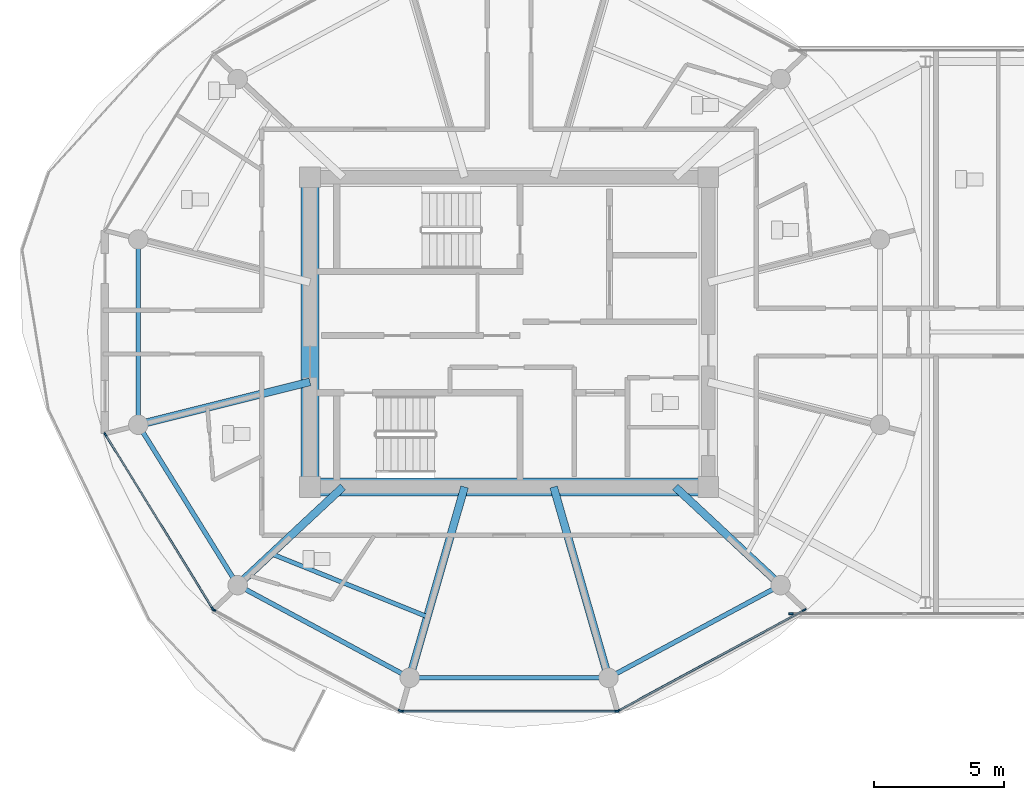
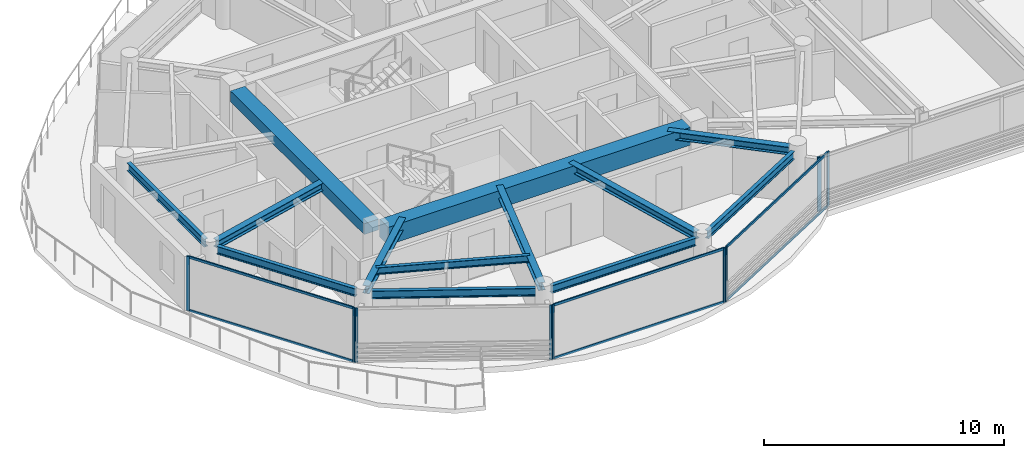
# One storey, part 3 of 26: 15 members, 13 beams, 5 elements without a shape of their own.
"""IFC4 building model written with IfcOpenShell, lengths in metres."""

from ifc_helpers import new_model, si_unit, direction, frame, origin, origin_2d, place, context, subcontext, project, spatial, rectangle, i_section, extrude, source, transform, mapped, material, layer, layer_set, material_profile, profile_set, type_object, type_shapes, element, aggregate, save


model = new_model("IFC4")

# Units and contexts
model_context = context("Model", 3, precision=1e-05, world=origin(), true_north=direction((0.0, 1.0)))
body_context = subcontext(model_context, "Body", "Model", "MODEL_VIEW")
ifc_project = project(units=[si_unit("LENGTHUNIT", "METRE"), si_unit("AREAUNIT", "SQUARE_METRE"), si_unit("VOLUMEUNIT", "CUBIC_METRE"), si_unit("PLANEANGLEUNIT", "RADIAN"), si_unit("MASSUNIT", "GRAM", prefix="KILO")], contexts=[model_context])

# Site, building, storey
site_placement = place(None, origin())
site = spatial("IfcSite", under=ifc_project, at=site_placement, CompositionType="ELEMENT")
building_placement = place(site_placement, origin())
building = spatial("IfcBuilding", under=site, at=building_placement, Name="Norrkilde Senior Care Towers", CompositionType="ELEMENT")
storey_placement = place(building_placement, frame((0.0, 0.0, 210.85009765625)))
storey = spatial("IfcBuildingStorey", under=building, at=storey_placement, Name="L65", CompositionType="ELEMENT", Elevation=210.85009765625)

# Beams
ifc_material_1 = material(Name="Concrete C60/75", Category="concrete")
ifc_material_profile_1 = material_profile(ifc_material_1, rectangle(XDim=0.699951171875, YDim=0.89990234375, at=origin_2d()), Name="RC BM 700x900")
ifc_profile_set_1 = profile_set([ifc_material_profile_1], Name="Concrete C60/75")
beam_type_1 = type_object("IfcBeamType", Name="Core Coupling Girder 700x900", PredefinedType="USERDEFINED", material=ifc_profile_set_1)
shared_shape_1 = source(origin(), body_context, "Body", "SweptSolid", [
    extrude(rectangle(XDim=0.699951171875, YDim=0.89990234375, at=origin_2d()), origin(), (0.0, 0.0, 1.0), 14.5400390625),
])
type_shapes(beam_type_1, [shared_shape_1])
beam_1_placement = place(storey_placement, frame((-35.27001953125, -5.949951171875, 2.309814453125), z_axis=(1.0, 0.0, 0.0), x_axis=(0.0, 1.0, 0.0)))
element("IfcBeam", 1, at=beam_1_placement, inside=storey, type_object=beam_type_1, Name="L65 Core W S Coupling Girder", ObjectType="GIRDER", PredefinedType="USERDEFINED", context=body_context, shape_type="MappedRepresentation", body=[
    mapped(shared_shape_1, transform((0.0, 0.0, 0.0), x_axis=(1.0, 0.0, 0.0), y_axis=(0.0, 1.0, 0.0), z_axis=(0.0, 0.0, 1.0), scale=1.0)),
])
ifc_material_profile_2 = material_profile(ifc_material_1, rectangle(XDim=0.699951171875, YDim=0.550048828125, at=origin_2d()), Name="RC BM 700x550")
ifc_profile_set_2 = profile_set([ifc_material_profile_2], Name="Concrete C60/75")
beam_type_2 = type_object("IfcBeamType", Name="Core Portal Coupling Beam 700x550", PredefinedType="USERDEFINED", material=ifc_profile_set_2)
shared_shape_2 = source(origin(), body_context, "Body", "SweptSolid", [
    extrude(rectangle(XDim=0.699951171875, YDim=0.550048828125, at=origin_2d()), origin(), (0.0, 0.0, 1.0), 11.14013671875),
])
type_shapes(beam_type_2, [shared_shape_2])
beam_2_placement = place(storey_placement, frame((-35.64990234375, -5.570068359375, 2.48486328125), z_axis=(0.0, 1.0, 0.0), x_axis=(-1.0, 0.0, 0.0)))
element("IfcBeam", 2, at=beam_2_placement, inside=storey, type_object=beam_type_2, Name="L65 Core W W Coupling Girder", ObjectType="GIRDER", PredefinedType="USERDEFINED", context=body_context, shape_type="MappedRepresentation", body=[
    mapped(shared_shape_2, transform((0.0, 0.0, 0.0), x_axis=(1.0, 0.0, 0.0), y_axis=(0.0, 1.0, 0.0), z_axis=(0.0, 0.0, 1.0), scale=1.0)),
])
ifc_material_2 = material(Name="Steel S355", Category="steel")
ifc_material_profile_3 = material_profile(ifc_material_2, i_section(OverallWidth=0.179931640625, OverallDepth=0.39990234375, WebThickness=0.008544921875, FlangeThickness=0.013427734375, FilletRadius=0.02099609375, at=origin_2d()), Name="IPE 400")
ifc_profile_set_3 = profile_set([ifc_material_profile_3], Name="Steel S355")
beam_type_3 = type_object("IfcBeamType", Name="Perimeter Ring Spandrel Z4 IPE400", PredefinedType="SPANDREL", material=ifc_profile_set_3)
shared_shape_3 = source(origin(), body_context, "Body", "SweptSolid", [
    extrude(i_section(OverallWidth=0.179931640625, OverallDepth=0.39990234375, WebThickness=0.008544921875, FlangeThickness=0.013427734375, FilletRadius=0.02099609375, at=origin_2d()), origin(), (0.0, 0.0, 1.0), 6.58056640625),
])
beam_3_placement = place(storey_placement, frame((-42.071044921875, -3.843505859375, 2.559814453125), z_axis=(0.526529583789, -0.850156807533, 0.0), x_axis=(0.850156807533, 0.526529583789, 0.0)))
element("IfcBeam", 3, at=beam_3_placement, inside=storey, type_object=beam_type_3, Name="L65 Drum W Perimeter Spandrel 07", PredefinedType="SPANDREL", context=body_context, shape_type="MappedRepresentation", body=[
    mapped(shared_shape_3, transform((0.0, 0.0, 0.0), x_axis=(1.0, 0.0, 0.0), y_axis=(0.0, 1.0, 0.0), z_axis=(0.0, 0.0, 1.0), scale=1.0)),
])
ifc_material_profile_4 = material_profile(ifc_material_2, i_section(OverallWidth=0.300048828125, OverallDepth=0.39990234375, WebThickness=0.013427734375, FlangeThickness=0.02392578125, FilletRadius=0.027099609375, at=origin_2d()), Name="HEB 400")
ifc_profile_set_4 = profile_set([ifc_material_profile_4], Name="Steel S355")
beam_type_4 = type_object("IfcBeamType", Name="Radial Floor Beam Z4 HEB400", PredefinedType="BEAM", material=ifc_profile_set_4)
shared_shape_4 = source(origin(), body_context, "Body", "SweptSolid", [
    extrude(i_section(OverallWidth=0.300048828125, OverallDepth=0.39990234375, WebThickness=0.013427734375, FlangeThickness=0.02392578125, FilletRadius=0.027099609375, at=origin_2d()), origin(), (0.0, 0.0, 1.0), 6.465087890625),
])
beam_4_placement = place(storey_placement, frame((-35.64990234375, -1.910888671875, 2.559814453125), z_axis=(-0.970195788563, -0.242322371758, 0.0), x_axis=(0.242322371758, -0.970195788563, 0.0)))
element("IfcBeam", 4, at=beam_4_placement, inside=storey, type_object=beam_type_4, Name="L65 Drum W Radial Floor Beam 07", PredefinedType="BEAM", context=body_context, shape_type="MappedRepresentation", body=[
    mapped(shared_shape_4, transform((0.0, 0.0, 0.0), x_axis=(1.0, 0.0, 0.0), y_axis=(0.0, 1.0, 0.0), z_axis=(0.0, 0.0, 1.0), scale=1.0)),
])
shared_shape_5 = source(origin(), body_context, "Body", "SweptSolid", [
    extrude(i_section(OverallWidth=0.179931640625, OverallDepth=0.39990234375, WebThickness=0.008544921875, FlangeThickness=0.013427734375, FilletRadius=0.02099609375, at=origin_2d()), origin(), (0.0, 0.0, 1.0), 6.839111328125),
])
for number, where, z_axis, x_axis, name in (
    (5, (-38.134765625, -9.881591796875, 2.559814453125), (0.880563930732, -0.473927382511, 0.0), (0.473927382511, 0.880563930732, 0.0), "L65 Drum W Perimeter Spandrel 08"),
    (6, (-23.887451171875, -13.122802734375, 2.559814453125), (0.880563930732, 0.473927382511, 0.0), (-0.473927382511, 0.880563930732, 0.0), "L65 Drum W Perimeter Spandrel 10"),
):
    element("IfcBeam", number, at=place(storey_placement, frame(where, z_axis=z_axis, x_axis=x_axis)), inside=storey, type_object=beam_type_3, Name=name, PredefinedType="SPANDREL", context=body_context, shape_type="MappedRepresentation", body=[
        mapped(shared_shape_5, transform((0.0, 0.0, 0.0), x_axis=(1.0, 0.0, 0.0), y_axis=(0.0, 1.0, 0.0), z_axis=(0.0, 0.0, 1.0), scale=1.0)),
    ])
shared_shape_6 = source(origin(), body_context, "Body", "SweptSolid", [
    extrude(i_section(OverallWidth=0.300048828125, OverallDepth=0.39990234375, WebThickness=0.013427734375, FlangeThickness=0.02392578125, FilletRadius=0.027099609375, at=origin_2d()), origin(), (0.0, 0.0, 1.0), 5.197998046875),
])
for number, where, z_axis, x_axis, name in (
    (7, (-34.3828125, -5.949951171875, 2.559814453125), (-0.731448749334, -0.681896419625, 0.0), (0.681896419625, -0.731448749334, 0.0), "L65 Drum W Radial Floor Beam 08"),
    (8, (-21.6171875, -5.949951171875, 2.559814453125), (0.731448749334, -0.681896419625, 0.0), (0.681896419625, 0.731448749334, 0.0), "L65 Drum W Radial Floor Beam 11"),
):
    element("IfcBeam", number, at=place(storey_placement, frame(where, z_axis=z_axis, x_axis=x_axis)), inside=storey, type_object=beam_type_4, Name=name, PredefinedType="BEAM", context=body_context, shape_type="MappedRepresentation", body=[
        mapped(shared_shape_6, transform((0.0, 0.0, 0.0), x_axis=(1.0, 0.0, 0.0), y_axis=(0.0, 1.0, 0.0), z_axis=(0.0, 0.0, 1.0), scale=1.0)),
    ])
shared_shape_7 = source(origin(), body_context, "Body", "SweptSolid", [
    extrude(i_section(OverallWidth=0.179931640625, OverallDepth=0.39990234375, WebThickness=0.008544921875, FlangeThickness=0.013427734375, FilletRadius=0.02099609375, at=origin_2d()), origin(), (0.0, 0.0, 1.0), 6.96533203125),
])
beam_5_placement = place(storey_placement, frame((-31.482666015625, -13.281494140625, 2.559814453125), z_axis=(1.0, 0.0, 0.0), x_axis=(0.0, 1.0, 0.0)))
element("IfcBeam", 9, at=beam_5_placement, inside=storey, type_object=beam_type_3, Name="L65 Drum W Perimeter Spandrel 09", PredefinedType="SPANDREL", context=body_context, shape_type="MappedRepresentation", body=[
    mapped(shared_shape_7, transform((0.0, 0.0, 0.0), x_axis=(1.0, 0.0, 0.0), y_axis=(0.0, 1.0, 0.0), z_axis=(0.0, 0.0, 1.0), scale=1.0)),
])
shared_shape_8 = source(origin(), body_context, "Body", "SweptSolid", [
    extrude(i_section(OverallWidth=0.300048828125, OverallDepth=0.39990234375, WebThickness=0.013427734375, FlangeThickness=0.02392578125, FilletRadius=0.027099609375, at=origin_2d()), origin(), (0.0, 0.0, 1.0), 7.29345703125),
])
type_shapes(beam_type_4, [shared_shape_4, shared_shape_6, shared_shape_8])
for number, where, z_axis, x_axis, name in (
    (10, (-29.710205078125, -5.949951171875, 2.559814453125), (-0.276263751906, -0.961081858836, 0.0), (0.961081858836, -0.276263751906, 0.0), "L65 Drum W Radial Floor Beam 09"),
    (11, (-26.289794921875, -5.949951171875, 2.559814453125), (0.276263751906, -0.961081858836, 0.0), (0.961081858836, 0.276263751906, 0.0), "L65 Drum W Radial Floor Beam 10"),
):
    element("IfcBeam", number, at=place(storey_placement, frame(where, z_axis=z_axis, x_axis=x_axis)), inside=storey, type_object=beam_type_4, Name=name, PredefinedType="BEAM", context=body_context, shape_type="MappedRepresentation", body=[
        mapped(shared_shape_8, transform((0.0, 0.0, 0.0), x_axis=(1.0, 0.0, 0.0), y_axis=(0.0, 1.0, 0.0), z_axis=(0.0, 0.0, 1.0), scale=1.0)),
    ])
shared_shape_9 = source(origin(), body_context, "Body", "SweptSolid", [
    extrude(i_section(OverallWidth=0.179931640625, OverallDepth=0.39990234375, WebThickness=0.008544921875, FlangeThickness=0.013427734375, FilletRadius=0.02099609375, at=origin_2d()), origin(), (0.0, 0.0, 1.0), 6.44775390625),
])
type_shapes(beam_type_3, [shared_shape_3, shared_shape_5, shared_shape_7, shared_shape_9])
beam_6_placement = place(storey_placement, frame((-42.247314453125, 3.223876953125, 2.559814453125), z_axis=(0.0, -1.0, 0.0), x_axis=(1.0, 0.0, 0.0)))
element("IfcBeam", 12, at=beam_6_placement, inside=storey, type_object=beam_type_3, Name="L65 Drum W Perimeter Spandrel 06", PredefinedType="SPANDREL", context=body_context, shape_type="MappedRepresentation", body=[
    mapped(shared_shape_9, transform((0.0, 0.0, 0.0), x_axis=(1.0, 0.0, 0.0), y_axis=(0.0, 1.0, 0.0), z_axis=(0.0, 0.0, 1.0), scale=1.0)),
])
ifc_material_profile_5 = material_profile(ifc_material_2, i_section(OverallWidth=0.169921875, OverallDepth=0.360107421875, WebThickness=0.008056640625, FlangeThickness=0.0126953125, FilletRadius=0.01806640625, at=origin_2d()), Name="IPE 360")
ifc_profile_set_5 = profile_set([ifc_material_profile_5], Name="Steel S355")
beam_type_5 = type_object("IfcBeamType", Name="Secondary Floor Joist IPE360", PredefinedType="JOIST", material=ifc_profile_set_5)
shared_shape_10 = source(origin(), body_context, "Body", "SweptSolid", [
    extrude(i_section(OverallWidth=0.169921875, OverallDepth=0.360107421875, WebThickness=0.008056640625, FlangeThickness=0.0126953125, FilletRadius=0.01806640625, at=origin_2d()), origin(), (0.0, 0.0, 1.0), 6.461669921875),
])
type_shapes(beam_type_5, [shared_shape_10])
beam_7_placement = place(storey_placement, frame((-37.134765625, -8.515380859375, 2.579833984375), z_axis=(0.927225942298, -0.374502405772, 0.0), x_axis=(0.374502405772, 0.927225942298, 0.0)))
element("IfcBeam", 13, at=beam_7_placement, inside=storey, type_object=beam_type_5, Name="L65 Drum W Secondary Floor Joist 3", PredefinedType="JOIST", context=body_context, shape_type="MappedRepresentation", body=[
    mapped(shared_shape_10, transform((0.0, 0.0, 0.0), x_axis=(1.0, 0.0, 0.0), y_axis=(0.0, 1.0, 0.0), z_axis=(0.0, 0.0, 1.0), scale=1.0)),
])

# Curtain wall, members
ifc_material_3 = material(Name="Triple Low-E Insulated Glazing", Category="glass")
ifc_layer_1 = layer(ifc_material_3, 0.18505859375)
ifc_layer_set_1 = layer_set([ifc_layer_1], Name="Triple Low-E Insulated Glazing")
curtain_wall_type_1 = type_object("IfcCurtainWallType", Name="CW6 Zone 4 Crown Pavilion Curtain Wall", PredefinedType="NOTDEFINED", material=ifc_layer_set_1)
curtain_wall_1_placement = place(storey_placement, origin())
curtain_wall_1 = element("IfcCurtainWall", 14, at=curtain_wall_1_placement, inside=storey, type_object=curtain_wall_type_1, Name="L65 Drum W Curtain Wall 06", PredefinedType="NOTDEFINED")
ifc_material_4 = material(Name="Anodised Aluminium", Category="aluminium")
ifc_material_profile_6 = material_profile(ifc_material_4, rectangle(XDim=0.06005859375, YDim=0.1201171875, at=origin_2d()), Name="ALU TRAN 60x120")
ifc_profile_set_6 = profile_set([ifc_material_profile_6], Name="Anodised Aluminium")
member_type_1 = type_object("IfcMemberType", Name="Curtain Wall Transom Typical 60x120", PredefinedType="USERDEFINED", material=ifc_profile_set_6)
shared_shape_11 = source(origin(), body_context, "Body", "SweptSolid", [
    extrude(rectangle(XDim=0.06005859375, YDim=0.1201171875, at=origin_2d()), origin(), (0.0, 0.0, 1.0), 7.808837890625),
])
member_1_placement = place(storey_placement, frame((-39.404296875, -10.60791015625, 0.02978515625), z_axis=(-0.524250924101, 0.851563837055, 0.0), x_axis=(-0.851563837055, -0.524250924101, 0.0)))
member_1 = element("IfcMember", 15, at=member_1_placement, type_object=member_type_1, Name="CW-6 transom 1.1", ObjectType="TRANSOM", PredefinedType="USERDEFINED", context=body_context, shape_type="MappedRepresentation", body=[
    mapped(shared_shape_11, transform((0.0, 0.0, 0.0), x_axis=(1.0, 0.0, 0.0), y_axis=(0.0, 1.0, 0.0), z_axis=(0.0, 0.0, 1.0), scale=1.0)),
])
member_2_placement = place(storey_placement, frame((-39.404296875, -10.60791015625, 2.72998046875), z_axis=(-0.524250924101, 0.851563837055, 0.0), x_axis=(-0.851563837055, -0.524250924101, 0.0)))
member_2 = element("IfcMember", 16, at=member_2_placement, type_object=member_type_1, Name="CW-6 transom 1.2", ObjectType="TRANSOM", PredefinedType="USERDEFINED", context=body_context, shape_type="MappedRepresentation", body=[
    mapped(shared_shape_11, transform((0.0, 0.0, 0.0), x_axis=(1.0, 0.0, 0.0), y_axis=(0.0, 1.0, 0.0), z_axis=(0.0, 0.0, 1.0), scale=1.0)),
])

curtain_wall_2_placement = place(storey_placement, origin())
curtain_wall_2 = element("IfcCurtainWall", 17, at=curtain_wall_2_placement, inside=storey, type_object=curtain_wall_type_1, Name="L65 Drum W Curtain Wall 08", PredefinedType="NOTDEFINED")
shared_shape_12 = source(origin(), body_context, "Body", "SweptSolid", [
    extrude(rectangle(XDim=0.06005859375, YDim=0.1201171875, at=origin_2d()), origin(), (0.0, 0.0, 1.0), 8.19384765625),
])
member_3_placement = place(storey_placement, frame((-23.903076171875, -14.566162109375, 0.02978515625), z_axis=(-1.0, 0.0, 0.0), x_axis=(0.0, -1.0, 0.0)))
member_3 = element("IfcMember", 18, at=member_3_placement, type_object=member_type_1, Name="CW-6 transom 1.1", ObjectType="TRANSOM", PredefinedType="USERDEFINED", context=body_context, shape_type="MappedRepresentation", body=[
    mapped(shared_shape_12, transform((0.0, 0.0, 0.0), x_axis=(1.0, 0.0, 0.0), y_axis=(0.0, 1.0, 0.0), z_axis=(0.0, 0.0, 1.0), scale=1.0)),
])
member_4_placement = place(storey_placement, frame((-23.903076171875, -14.566162109375, 2.72998046875), z_axis=(-1.0, 0.0, 0.0), x_axis=(0.0, -1.0, 0.0)))
member_4 = element("IfcMember", 19, at=member_4_placement, type_object=member_type_1, Name="CW-6 transom 1.2", ObjectType="TRANSOM", PredefinedType="USERDEFINED", context=body_context, shape_type="MappedRepresentation", body=[
    mapped(shared_shape_12, transform((0.0, 0.0, 0.0), x_axis=(1.0, 0.0, 0.0), y_axis=(0.0, 1.0, 0.0), z_axis=(0.0, 0.0, 1.0), scale=1.0)),
])

curtain_wall_3_placement = place(storey_placement, origin())
curtain_wall_3 = element("IfcCurtainWall", 20, at=curtain_wall_3_placement, inside=storey, type_object=curtain_wall_type_1, Name="L65 Drum W Curtain Wall 09", PredefinedType="NOTDEFINED")
shared_shape_13 = source(origin(), body_context, "Body", "SweptSolid", [
    extrude(rectangle(XDim=0.06005859375, YDim=0.1201171875, at=origin_2d()), origin(), (0.0, 0.0, 1.0), 8.0673828125),
])
type_shapes(member_type_1, [shared_shape_11, shared_shape_12, shared_shape_13])
member_5_placement = place(storey_placement, frame((-16.686767578125, -10.694091796875, 0.02978515625), z_axis=(-0.87937750072, -0.476125205411, 0.0), x_axis=(0.476125205411, -0.87937750072, 0.0)))
member_5 = element("IfcMember", 21, at=member_5_placement, type_object=member_type_1, Name="CW-6 transom 1.1", ObjectType="TRANSOM", PredefinedType="USERDEFINED", context=body_context, shape_type="MappedRepresentation", body=[
    mapped(shared_shape_13, transform((0.0, 0.0, 0.0), x_axis=(1.0, 0.0, 0.0), y_axis=(0.0, 1.0, 0.0), z_axis=(0.0, 0.0, 1.0), scale=1.0)),
])
member_6_placement = place(storey_placement, frame((-16.686767578125, -10.694091796875, 2.72998046875), z_axis=(-0.87937750072, -0.476125205411, 0.0), x_axis=(0.476125205411, -0.87937750072, 0.0)))
member_6 = element("IfcMember", 22, at=member_6_placement, type_object=member_type_1, Name="CW-6 transom 1.2", ObjectType="TRANSOM", PredefinedType="USERDEFINED", context=body_context, shape_type="MappedRepresentation", body=[
    mapped(shared_shape_13, transform((0.0, 0.0, 0.0), x_axis=(1.0, 0.0, 0.0), y_axis=(0.0, 1.0, 0.0), z_axis=(0.0, 0.0, 1.0), scale=1.0)),
])

# Member
ifc_material_profile_7 = material_profile(ifc_material_4, rectangle(XDim=0.06494140625, YDim=0.14990234375, at=origin_2d()), Name="ALU MULL 65x150")
ifc_profile_set_7 = profile_set([ifc_material_profile_7], Name="Anodised Aluminium")
member_type_2 = type_object("IfcMemberType", Name="Curtain Wall Mullion Z3-Z4 65x150", PredefinedType="MULLION", material=ifc_profile_set_7)
shared_shape_14 = source(origin(), body_context, "Body", "SweptSolid", [
    extrude(rectangle(XDim=0.06494140625, YDim=0.14990234375, at=origin_2d()), origin(), (0.0, 0.0, 1.0), 2.760009765625),
])
type_shapes(member_type_2, [shared_shape_14])
member_7_placement = place(storey_placement, frame((-39.38720703125, -10.635498046875, 0.0), z_axis=(0.0, 0.0, 1.0), x_axis=(-0.851562727283, -0.524252726748, 0.0)))
member_7 = element("IfcMember", 23, at=member_7_placement, type_object=member_type_2, Name="CW-6 mullion 1", PredefinedType="MULLION", context=body_context, shape_type="MappedRepresentation", body=[
    mapped(shared_shape_14, transform((0.0, 0.0, 0.0), x_axis=(1.0, 0.0, 0.0), y_axis=(0.0, 1.0, 0.0), z_axis=(0.0, 0.0, 1.0), scale=1.0)),
])

member_8_placement = place(storey_placement, frame((-43.51513671875, -3.9306640625, 0.0), z_axis=(0.0, 0.0, 1.0), x_axis=(-0.851562727283, -0.524252726748, 0.0)))
member_8 = element("IfcMember", 24, at=member_8_placement, type_object=member_type_2, Name="CW-6 mullion 2", PredefinedType="MULLION", context=body_context, shape_type="MappedRepresentation", body=[
    mapped(shared_shape_14, transform((0.0, 0.0, 0.0), x_axis=(1.0, 0.0, 0.0), y_axis=(0.0, 1.0, 0.0), z_axis=(0.0, 0.0, 1.0), scale=1.0)),
])

aggregate(curtain_wall_1, [member_7, member_8, member_1, member_2])

# Curtain wall, members
curtain_wall_4_placement = place(storey_placement, origin())
curtain_wall_4 = element("IfcCurtainWall", 25, at=curtain_wall_4_placement, inside=storey, type_object=curtain_wall_type_1, Name="L65 Drum W Curtain Wall 07", PredefinedType="NOTDEFINED")
member_9_placement = place(storey_placement, frame((-32.1904296875, -14.55078125, 0.0), z_axis=(0.0, 0.0, 1.0), x_axis=(-0.476132676136, -0.879373455772, 0.0)))
member_9 = element("IfcMember", 26, at=member_9_placement, type_object=member_type_2, Name="CW-6 mullion 1", PredefinedType="MULLION", context=body_context, shape_type="MappedRepresentation", body=[
    mapped(shared_shape_14, transform((0.0, 0.0, 0.0), x_axis=(1.0, 0.0, 0.0), y_axis=(0.0, 1.0, 0.0), z_axis=(0.0, 0.0, 1.0), scale=1.0)),
])
member_10_placement = place(storey_placement, frame((-39.341796875, -10.6787109375, 0.0), z_axis=(0.0, 0.0, 1.0), x_axis=(-0.476132676136, -0.879373455772, 0.0)))
member_10 = element("IfcMember", 27, at=member_10_placement, type_object=member_type_2, Name="CW-6 mullion 2", PredefinedType="MULLION", context=body_context, shape_type="MappedRepresentation", body=[
    mapped(shared_shape_14, transform((0.0, 0.0, 0.0), x_axis=(1.0, 0.0, 0.0), y_axis=(0.0, 1.0, 0.0), z_axis=(0.0, 0.0, 1.0), scale=1.0)),
])
aggregate(curtain_wall_4, [member_9, member_10])

# Member
member_11_placement = place(storey_placement, frame((-23.87060546875, -14.566162109375, 0.0), z_axis=(0.0, 0.0, 1.0), x_axis=(0.0, -1.0, 0.0)))
member_11 = element("IfcMember", 28, at=member_11_placement, type_object=member_type_2, Name="CW-6 mullion 1", PredefinedType="MULLION", context=body_context, shape_type="MappedRepresentation", body=[
    mapped(shared_shape_14, transform((0.0, 0.0, 0.0), x_axis=(1.0, 0.0, 0.0), y_axis=(0.0, 1.0, 0.0), z_axis=(0.0, 0.0, 1.0), scale=1.0)),
])

member_12_placement = place(storey_placement, frame((-32.12939453125, -14.566162109375, 0.0), z_axis=(0.0, 0.0, 1.0), x_axis=(0.0, -1.0, 0.0)))
member_12 = element("IfcMember", 29, at=member_12_placement, type_object=member_type_2, Name="CW-6 mullion 2", PredefinedType="MULLION", context=body_context, shape_type="MappedRepresentation", body=[
    mapped(shared_shape_14, transform((0.0, 0.0, 0.0), x_axis=(1.0, 0.0, 0.0), y_axis=(0.0, 1.0, 0.0), z_axis=(0.0, 0.0, 1.0), scale=1.0)),
])

aggregate(curtain_wall_2, [member_11, member_12, member_3, member_4])

member_13_placement = place(storey_placement, frame((-16.658203125, -10.6787109375, 0.0), z_axis=(0.0, 0.0, 1.0), x_axis=(0.476132676136, -0.879373455772, 0.0)))
member_13 = element("IfcMember", 30, at=member_13_placement, type_object=member_type_2, Name="CW-6 mullion 1", PredefinedType="MULLION", context=body_context, shape_type="MappedRepresentation", body=[
    mapped(shared_shape_14, transform((0.0, 0.0, 0.0), x_axis=(1.0, 0.0, 0.0), y_axis=(0.0, 1.0, 0.0), z_axis=(0.0, 0.0, 1.0), scale=1.0)),
])

member_14_placement = place(storey_placement, frame((-23.8095703125, -14.55078125, 0.0), z_axis=(0.0, 0.0, 1.0), x_axis=(0.476132676136, -0.879373455772, 0.0)))
member_14 = element("IfcMember", 31, at=member_14_placement, type_object=member_type_2, Name="CW-6 mullion 2", PredefinedType="MULLION", context=body_context, shape_type="MappedRepresentation", body=[
    mapped(shared_shape_14, transform((0.0, 0.0, 0.0), x_axis=(1.0, 0.0, 0.0), y_axis=(0.0, 1.0, 0.0), z_axis=(0.0, 0.0, 1.0), scale=1.0)),
])

aggregate(curtain_wall_3, [member_13, member_14, member_5, member_6])

# Curtain wall, member
ifc_layer_2 = layer(ifc_material_3, 0.2099609375)
ifc_layer_set_2 = layer_set([ifc_layer_2], Name="Triple Low-E Insulated Glazing")
curtain_wall_type_2 = type_object("IfcCurtainWallType", Name="CW5 Sky-Gate Bridge Curtain Wall", PredefinedType="NOTDEFINED", material=ifc_layer_set_2)
curtain_wall_5_placement = place(storey_placement, origin())
curtain_wall_5 = element("IfcCurtainWall", 32, at=curtain_wall_5_placement, inside=storey, type_object=curtain_wall_type_2, Name="L65 Sky-Gate Bridge South Curtain Wall 3", PredefinedType="NOTDEFINED")
ifc_material_profile_8 = material_profile(ifc_material_4, rectangle(XDim=0.070068359375, YDim=0.169921875, at=origin_2d()), Name="ALU MULL 70x170")
ifc_profile_set_8 = profile_set([ifc_material_profile_8], Name="Anodised Aluminium")
member_type_3 = type_object("IfcMemberType", Name="Curtain Wall Mullion Heavy 70x170", PredefinedType="MULLION", material=ifc_profile_set_8)
shared_shape_15 = source(origin(), body_context, "Body", "SweptSolid", [
    extrude(rectangle(XDim=0.070068359375, YDim=0.169921875, at=origin_2d()), origin(), (0.0, 0.0, 1.0), 2.760009765625),
])
type_shapes(member_type_3, [shared_shape_15])
member_15_placement = place(storey_placement, frame((-17.1650390625, -10.820068359375, 0.0), z_axis=(0.0, 0.0, 1.0), x_axis=(0.0, -1.0, 0.0)))
member_15 = element("IfcMember", 33, at=member_15_placement, type_object=member_type_3, Name="CW-5 mullion 4", PredefinedType="MULLION", context=body_context, shape_type="MappedRepresentation", body=[
    mapped(shared_shape_15, transform((0.0, 0.0, 0.0), x_axis=(1.0, 0.0, 0.0), y_axis=(0.0, 1.0, 0.0), z_axis=(0.0, 0.0, 1.0), scale=1.0)),
])
aggregate(curtain_wall_5, [member_15])

save(model, "model.ifc")
